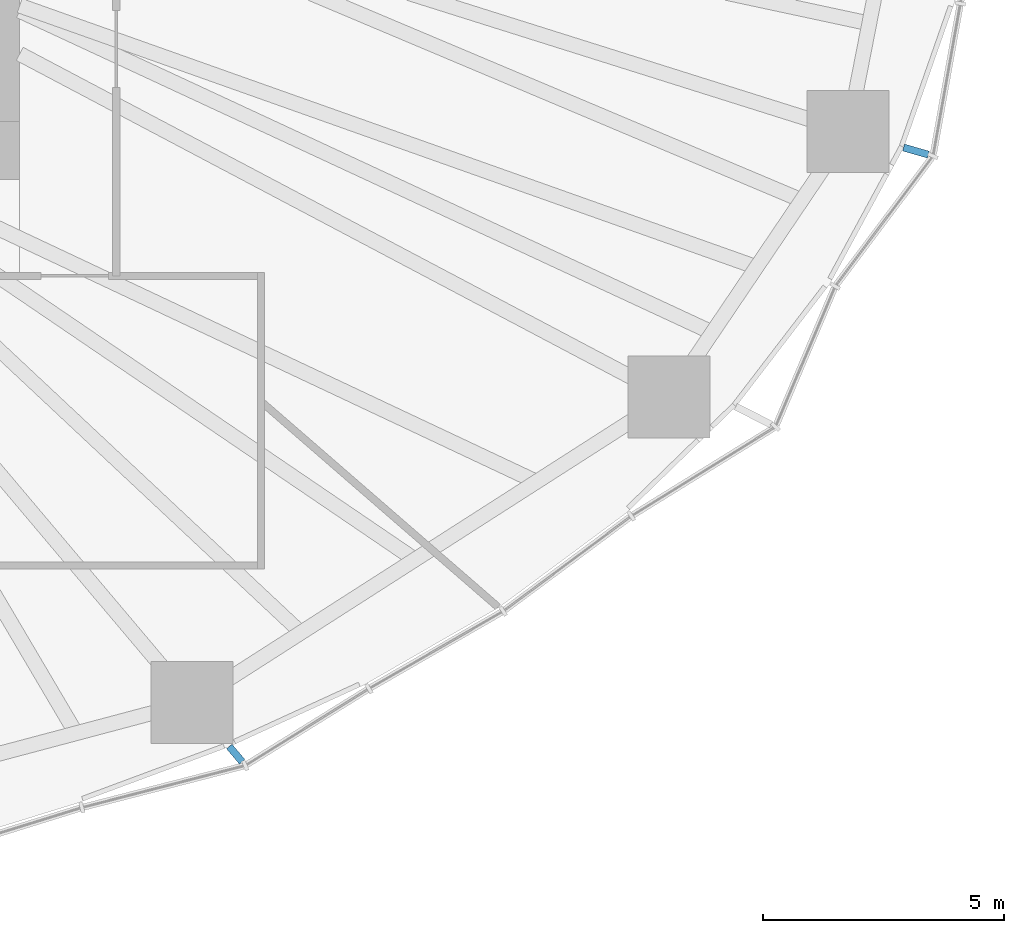
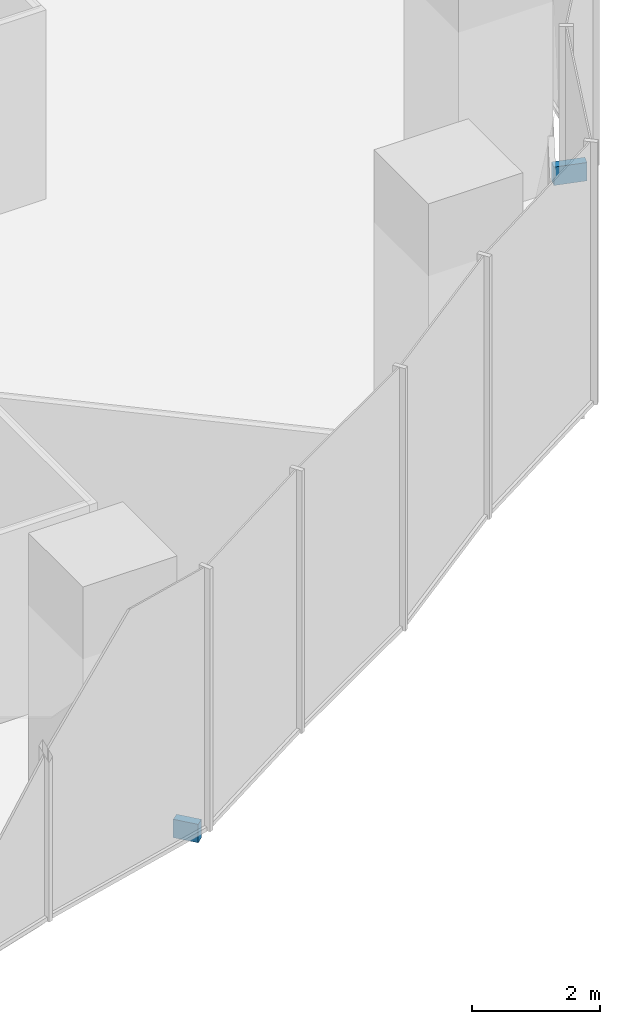
# One storey, part 14 of 20: 2 discrete accessories.
"""IFC4 building model written with IfcOpenShell, lengths in metres."""

from ifc_helpers import new_model, si_unit, direction, frame, origin, origin_2d, place, context, subcontext, project, spatial, rectangle, extrude, material, type_object, element, save


model = new_model("IFC4")

# Units and contexts
model_context = context("Model", 3, precision=1e-05, world=origin(), true_north=direction((0.0, 1.0)))
body_context = subcontext(model_context, "Body", "Model", "MODEL_VIEW")
ifc_project = project(units=[si_unit("LENGTHUNIT", "METRE"), si_unit("AREAUNIT", "SQUARE_METRE"), si_unit("VOLUMEUNIT", "CUBIC_METRE"), si_unit("PLANEANGLEUNIT", "RADIAN"), si_unit("MASSUNIT", "GRAM", prefix="KILO")], contexts=[model_context])

# Site, building, storey
site_placement = place(None, origin())
site = spatial("IfcSite", under=ifc_project, at=site_placement, CompositionType="ELEMENT")
building_placement = place(site_placement, origin())
building = spatial("IfcBuilding", under=site, at=building_placement, Name="Ghaith Harvest Tower", CompositionType="ELEMENT")
storey_placement = place(building_placement, frame((0.0, 0.0, 55.0)))
storey = spatial("IfcBuildingStorey", under=building, at=storey_placement, Name="L11", CompositionType="ELEMENT", Elevation=55.0)

# Discrete accessories
ifc_material_1 = material(Name="Stainless steel grade 1.4401", Category="steel")
discrete_accessory_type_1 = type_object("IfcDiscreteAccessoryType", Name="CURTAIN WALL BRACKET 415", PredefinedType="BRACKET", material=ifc_material_1)
discrete_accessory_1_placement = place(storey_placement, frame((18.475830078125, -21.90966796875, -0.25), z_axis=(0.0, 0.0, 1.0), x_axis=(0.644657240069, -0.764471741025, 0.0)))
element("IfcDiscreteAccessory", 1, at=discrete_accessory_1_placement, inside=storey, type_object=discrete_accessory_type_1, Name="CW-F bracket 1 bay 18 L11", PredefinedType="BRACKET", context=body_context, shape_type="SweptSolid", body=[
    extrude(rectangle(XDim=0.4150390625, YDim=0.14990234375, at=origin_2d()), origin(), (0.0, 0.0, 1.0), 0.35009765625),
])
ifc_material_2 = material(Name="Stainless steel grade 1.4401", Category="steel")
discrete_accessory_type_2 = type_object("IfcDiscreteAccessoryType", Name="CURTAIN WALL BRACKET 535", PredefinedType="BRACKET", material=ifc_material_2)
discrete_accessory_2_placement = place(storey_placement, frame((32.570556640625, -9.41357421875, -0.25), z_axis=(0.0, 0.0, 1.0), x_axis=(0.960680349932, -0.277656739976, 0.0)))
element("IfcDiscreteAccessory", 2, at=discrete_accessory_2_placement, inside=storey, type_object=discrete_accessory_type_2, Name="CW-F bracket 1 bay 20 L11", PredefinedType="BRACKET", context=body_context, shape_type="SweptSolid", body=[
    extrude(rectangle(XDim=0.534912109375, YDim=0.14990234375, at=origin_2d()), origin(), (0.0, 0.0, 1.0), 0.35009765625),
])

save(model, "model.ifc")
